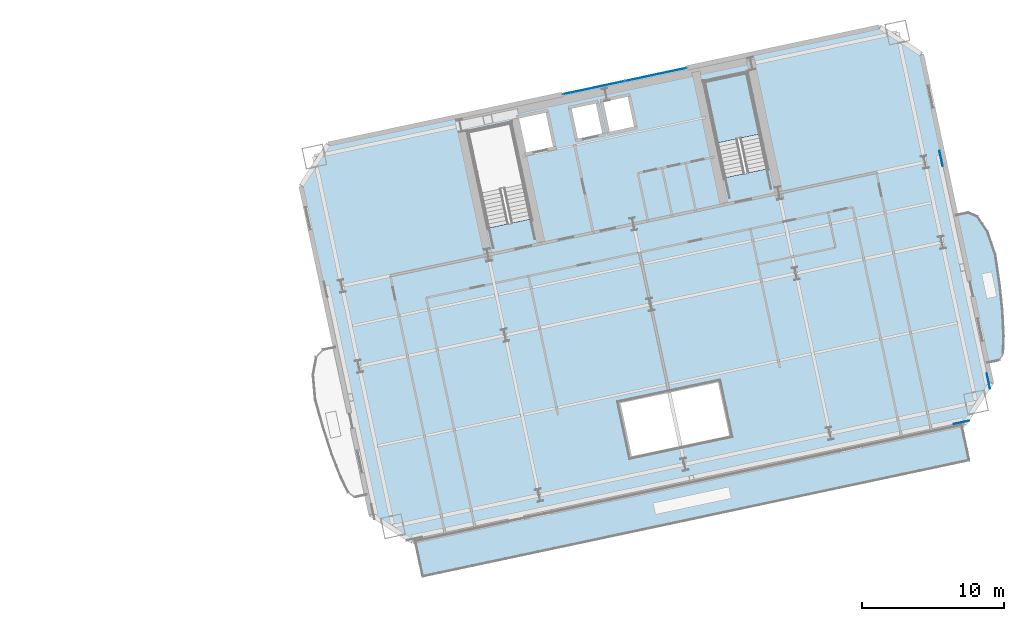
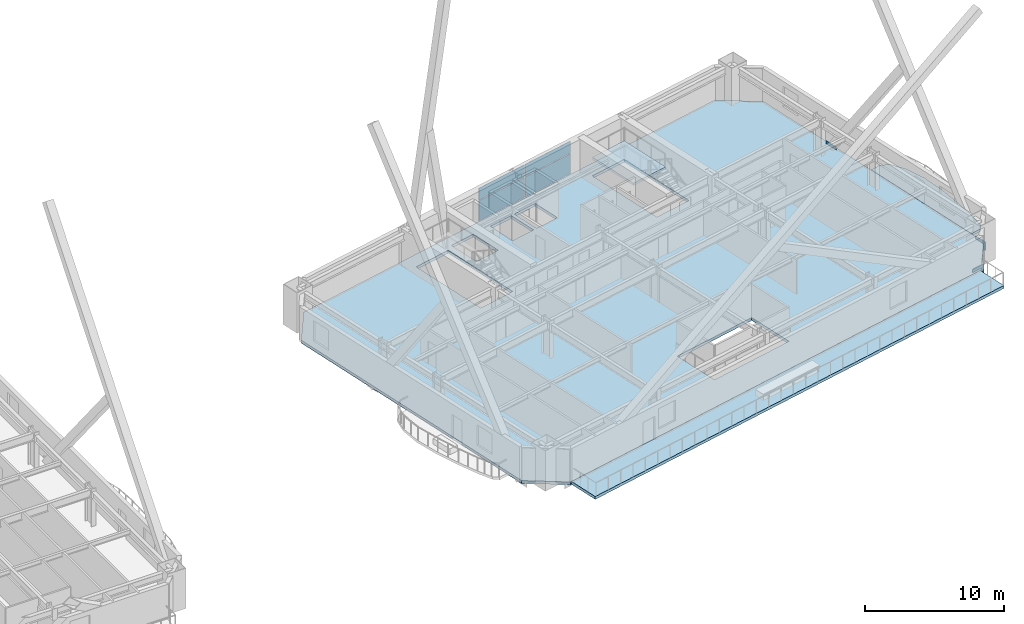
# One storey, part 9 of 22: 7 plates, 4 slabs, 2 elements without a shape of their own.
"""IFC4 building model written with IfcOpenShell, lengths in metres."""

from ifc_helpers import new_model, si_unit, direction, frame, origin, origin_2d, place, context, subcontext, project, spatial, polyline, rectangle, outline, extrude, material, layer, layer_set, type_object, element, aggregate, save


model = new_model("IFC4")

# Units and contexts
model_context = context("Model", 3, precision=1e-05, world=origin(), true_north=direction((0.0, 1.0)))
body_context = subcontext(model_context, "Body", "Model", "MODEL_VIEW")
ifc_project = project(units=[si_unit("LENGTHUNIT", "METRE"), si_unit("AREAUNIT", "SQUARE_METRE"), si_unit("VOLUMEUNIT", "CUBIC_METRE"), si_unit("PLANEANGLEUNIT", "RADIAN"), si_unit("MASSUNIT", "GRAM", prefix="KILO")], contexts=[model_context])

# Site, building, storey
site_placement = place(None, origin())
site = spatial("IfcSite", under=ifc_project, at=site_placement, CompositionType="ELEMENT")
building_placement = place(site_placement, origin())
building = spatial("IfcBuilding", under=site, at=building_placement, Name="Haevon Station Towers", CompositionType="ELEMENT")
storey_placement = place(building_placement, frame((0.0, 0.0, 70.199951171875)))
storey = spatial("IfcBuildingStorey", under=building, at=storey_placement, Name="L18", CompositionType="ELEMENT", Elevation=70.199951171875)

# Curtain wall, plates
ifc_material_1 = material(Name="Anodised aluminium and Low-E double glazing", Category="aluminium")
ifc_layer_1 = layer(ifc_material_1, 0.179931640625)
ifc_layer_set_1 = layer_set([ifc_layer_1], Name="Anodised aluminium and Low-E double glazing")
curtain_wall_type = type_object("IfcCurtainWallType", Name="CW-SYS5", PredefinedType="NOTDEFINED", material=ifc_layer_set_1)
curtain_wall_placement = place(storey_placement, origin())
curtain_wall = element("IfcCurtainWall", 1, at=curtain_wall_placement, inside=storey, type_object=curtain_wall_type, Name="L18 Curtain Wall CW-T2-L18-N", PredefinedType="NOTDEFINED")
ifc_material_2 = material(Name="Low-E double glazing", Category="glass")
ifc_layer_2 = layer(ifc_material_2, 0.028076171875)
ifc_layer_set_2 = layer_set([ifc_layer_2], Name="Low-E double glazing")
plate_type_1 = type_object("IfcPlateType", Name="CWP-GLZ28", PredefinedType="CURTAIN_PANEL", material=ifc_layer_set_2)
plate_1_placement = place(storey_placement, frame((106.224853515625, 49.254150390625, 0.06005859375), z_axis=(0.0, 0.0, 1.0), x_axis=(0.978147581095, 0.207911783211, 0.0)))
plate_1 = element("IfcPlate", 2, at=plate_1_placement, type_object=plate_type_1, Name="CW-SYS5 panel 1.1", PredefinedType="CURTAIN_PANEL", context=body_context, shape_type="SweptSolid", body=[
    extrude(rectangle(XDim=4.409912109375, YDim=0.028076171875, at=origin_2d()), origin(), (0.0, 0.0, 1.0), 1.77001953125),
])
plate_2_placement = place(storey_placement, frame((106.224853515625, 49.254150390625, 1.89013671875), z_axis=(0.0, 0.0, 1.0), x_axis=(0.978147581095, 0.207911783211, 0.0)))
plate_2 = element("IfcPlate", 3, at=plate_2_placement, type_object=plate_type_1, Name="CW-SYS5 panel 1.2", PredefinedType="CURTAIN_PANEL", context=body_context, shape_type="SweptSolid", body=[
    extrude(rectangle(XDim=4.409912109375, YDim=0.028076171875, at=origin_2d()), origin(), (0.0, 0.0, 1.0), 1.050048828125),
])
plate_3_placement = place(storey_placement, frame((110.59716796875, 50.18359375, 0.06005859375), z_axis=(0.0, 0.0, 1.0), x_axis=(0.978147581095, 0.207911783211, 0.0)))
plate_3 = element("IfcPlate", 4, at=plate_3_placement, type_object=plate_type_1, Name="CW-SYS5 panel 2.1", PredefinedType="CURTAIN_PANEL", context=body_context, shape_type="SweptSolid", body=[
    extrude(rectangle(XDim=4.409912109375, YDim=0.028076171875, at=origin_2d()), origin(), (0.0, 0.0, 1.0), 1.77001953125),
])
plate_4_placement = place(storey_placement, frame((110.59716796875, 50.18359375, 1.89013671875), z_axis=(0.0, 0.0, 1.0), x_axis=(0.978147581095, 0.207911783211, 0.0)))
plate_4 = element("IfcPlate", 5, at=plate_4_placement, type_object=plate_type_1, Name="CW-SYS5 panel 2.2", PredefinedType="CURTAIN_PANEL", context=body_context, shape_type="SweptSolid", body=[
    extrude(rectangle(XDim=4.409912109375, YDim=0.028076171875, at=origin_2d()), origin(), (0.0, 0.0, 1.0), 1.050048828125),
])
aggregate(curtain_wall, [plate_1, plate_2, plate_3, plate_4])

# Plates
ifc_material_3 = material(Name="PL-SPL1", Category="steel")
ifc_layer_3 = layer(ifc_material_3, 0.031982421875)
ifc_layer_set_3 = layer_set([ifc_layer_3], Name="PL-SPL1")
plate_type_2 = type_object("IfcPlateType", Name="PL-SPL1", PredefinedType="USERDEFINED", material=ifc_layer_set_3)
for number, where, z_axis, x_axis, name in (
    (6, (132.19189453125, 25.616455078125, -0.494873046875), (0.0, 0.0, 1.0), (0.978147600734, 0.207911690818, 0.0), "PL-T2SPL-T02-S-2"),
    (7, (134.09423828125, 28.5458984375, -0.494873046875), (0.0, 0.0, 1.0), (-0.207911690818, 0.978147600734, 0.0), "PL-T2SPL-T02-E-1"),
    (8, (130.75732421875, 44.245361328125, -0.494873046875), (0.0, 0.0, 1.0), (-0.207911690818, 0.978147600734, 0.0), "PL-T2SPL-T02-E-2"),
):
    element("IfcPlate", number, at=place(storey_placement, frame(where, z_axis=z_axis, x_axis=x_axis)), inside=storey, type_object=plate_type_2, Name=name, ObjectType="SPLICE_PLATE", PredefinedType="USERDEFINED", context=body_context, shape_type="SweptSolid", body=[
        extrude(rectangle(XDim=1.10009765625, YDim=0.031982421875, at=origin_2d()), origin(), (0.0, 0.0, 1.0), 0.75),
    ])

# Slab
ifc_material_4 = material(Name="Concrete C40/50", Category="concrete")
ifc_layer_4 = layer(ifc_material_4, 0.219970703125)
ifc_layer_set_4 = layer_set([ifc_layer_4], Name="Concrete C40/50")
slab_type_1 = type_object("IfcSlabType", Name="SL-BALC220", PredefinedType="FLOOR", material=ifc_layer_set_4)
slab_1_placement = place(storey_placement, frame((0.0, 0.0, -0.219970703125)))
element("IfcSlab", 9, at=slab_1_placement, inside=storey, type_object=slab_type_1, Name="Tower 2 L18 East SCALLOPED BALCONY", PredefinedType="FLOOR", context=body_context, shape_type="SweptSolid", body=[
    extrude(outline(polyline([(134.02587890625, 29.75830078125), (134.888427734375, 29.941650390625), (135.146240234375, 30.416748046875), (135.196044921875, 31.6240234375), (135.12841796875, 33.400634765625), (134.957275390625, 35.476806640625), (134.6044921875, 37.5146484375), (134.020263671875, 39.181396484375), (133.297119140625, 40.224365234375), (132.64306640625, 40.505615234375), (131.7802734375, 40.322265625), (134.02587890625, 29.75830078125)])), origin(), (0.0, 0.0, 1.0), 0.219970703125),
])

# Stair, slab
stair_type = type_object("IfcStairType", Name="STR-DL1450", PredefinedType="USERDEFINED", material=ifc_material_4)
stair_placement = place(storey_placement, origin())
stair = element("IfcStair", 10, at=stair_placement, inside=storey, type_object=stair_type, Name="L18 Escape Stair ST4", ObjectType="TWO_RETURN_STAIR", PredefinedType="USERDEFINED")
ifc_layer_5 = layer(ifc_material_4, 0.199951171875)
ifc_layer_set_5 = layer_set([ifc_layer_5], Name="Concrete C40/50")
slab_type_2 = type_object("IfcSlabType", Name="SL-LND200", PredefinedType="LANDING", material=ifc_layer_set_5)
slab_2_placement = place(storey_placement, frame((0.0, 0.0, 1.449951171875)))
slab_2 = element("IfcSlab", 11, at=slab_2_placement, type_object=slab_type_2, Name="L18 ST4 Half Landing 1", PredefinedType="LANDING", context=body_context, shape_type="SweptSolid", body=[
    extrude(outline(polyline([(117.975341796875, 45.989990234375), (117.052978515625, 50.328857421875), (114.020751953125, 49.684326171875), (114.943115234375, 45.345458984375), (117.975341796875, 45.989990234375)])), origin(), (0.0, 0.0, 1.0), 0.2001953125),
])
aggregate(stair, [slab_2])

# Slabs
ifc_layer_6 = layer(ifc_material_4, 0.25)
ifc_layer_set_6 = layer_set([ifc_layer_6], Name="Concrete C40/50")
slab_type_3 = type_object("IfcSlabType", Name="SL-TERR250", PredefinedType="FLOOR", material=ifc_layer_set_6)
slab_3_placement = place(storey_placement, frame((0.0, 0.0, -0.25)))
element("IfcSlab", 12, at=slab_3_placement, inside=storey, type_object=slab_type_3, Name="Tower 2 L18 Sky Garden Terrace", PredefinedType="FLOOR", context=body_context, shape_type="SweptSolid", body=[
    extrude(outline(polyline([(94.07373046875, 14.72314453125), (132.808349609375, 22.95654296875), (132.279296875, 25.44580078125), (93.544677734375, 17.212646484375), (94.07373046875, 14.72314453125)])), origin(), (0.0, 0.0, 1.0), 0.25),
])
ifc_layer_7 = layer(ifc_material_4, 0.25)
ifc_layer_set_7 = layer_set([ifc_layer_7], Name="Concrete C40/50")
slab_type_4 = type_object("IfcSlabType", Name="SL-TW250", PredefinedType="FLOOR", material=ifc_layer_set_7)
slab_4_placement = place(storey_placement, frame((0.0, 0.0, -0.25)))
element("IfcSlab", 13, at=slab_4_placement, inside=storey, type_object=slab_type_4, Name="SL-T2-L18", PredefinedType="FLOOR", context=body_context, shape_type="SweptSolid", body=[
    extrude(outline(polyline([(93.44580078125, 17.19677734375), (132.3759765625, 25.4716796875), (134.301513671875, 28.436767578125), (129.3740234375, 51.618896484375), (126.408935546875, 53.54443359375), (87.478759765625, 45.26953125), (85.552978515625, 42.304443359375), (90.48046875, 19.122314453125), (93.44580078125, 17.19677734375)]), holes=[polyline([(101.8095703125, 39.98974609375), (100.36572265625, 46.781982421875), (97.33349609375, 46.137451171875), (98.77734375, 39.34521484375), (101.8095703125, 39.98974609375)]), polyline([(118.496826171875, 43.53662109375), (117.052978515625, 50.328857421875), (114.020751953125, 49.684326171875), (115.464599609375, 42.89208984375), (118.496826171875, 43.53662109375)]), polyline([(101.43212890625, 44.554931640625), (103.486328125, 44.99169921875), (102.9248046875, 47.632568359375), (100.870849609375, 47.196044921875), (101.43212890625, 44.554931640625)]), polyline([(105.009765625, 45.519775390625), (106.966064453125, 45.935791015625), (106.467041015625, 48.283203125), (104.5107421875, 47.867431640625), (105.009765625, 45.519775390625)]), polyline([(107.259521484375, 45.998046875), (109.2158203125, 46.413818359375), (108.716796875, 48.761474609375), (106.760498046875, 48.345703125), (107.259521484375, 45.998046875)]), polyline([(108.848876953125, 23.12890625), (115.8916015625, 24.625732421875), (115.06005859375, 28.538330078125), (108.017333984375, 27.04150390625), (108.848876953125, 23.12890625)])]), origin(), (0.0, 0.0, 1.0), 0.25),
])

save(model, "model.ifc")
